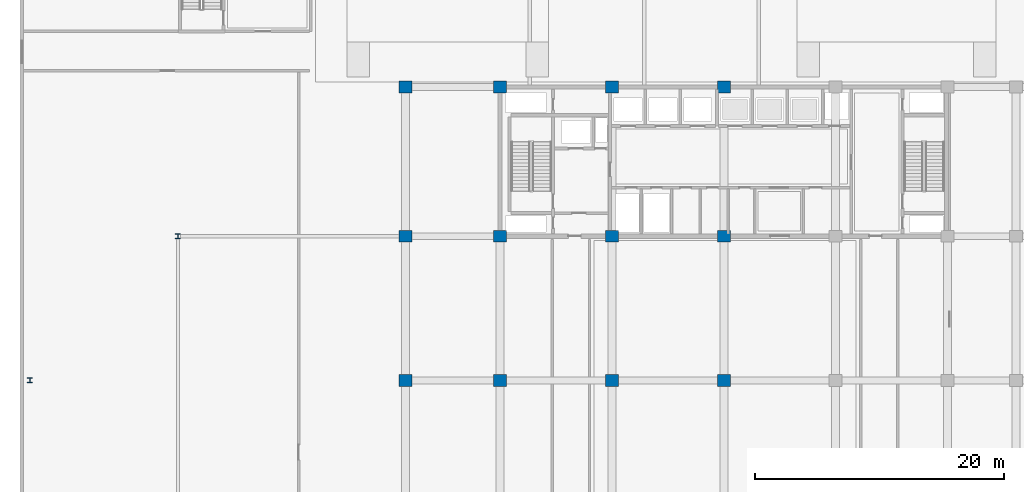
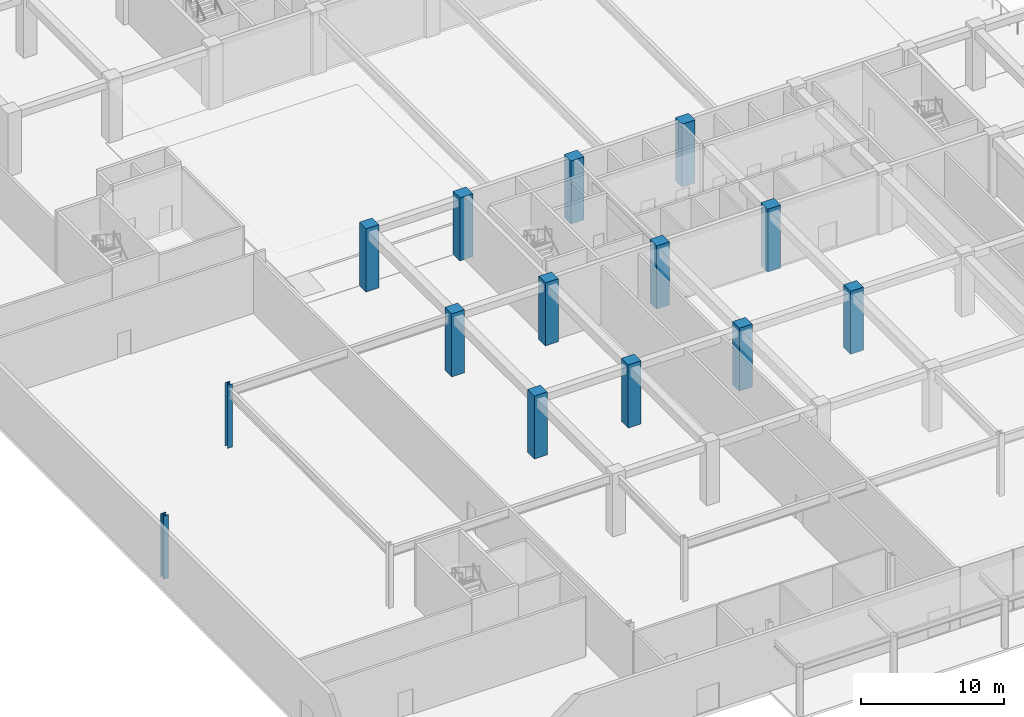
# One storey, part 3 of 46: 14 columns.
"""IFC4 building model written with IfcOpenShell, lengths in metres."""

from ifc_helpers import new_model, si_unit, direction, frame, origin, origin_2d, place, context, subcontext, project, spatial, rectangle, i_section, extrude, material, material_profile, profile_set, type_object, element, save


model = new_model("IFC4")

# Units and contexts
model_context = context("Model", 3, precision=1e-05, world=origin(), true_north=direction((0.0, 1.0)))
body_context = subcontext(model_context, "Body", "Model", "MODEL_VIEW")
ifc_project = project(units=[si_unit("LENGTHUNIT", "METRE"), si_unit("AREAUNIT", "SQUARE_METRE"), si_unit("VOLUMEUNIT", "CUBIC_METRE"), si_unit("PLANEANGLEUNIT", "RADIAN"), si_unit("MASSUNIT", "GRAM", prefix="KILO")], contexts=[model_context])

# Site, building, storey
site_placement = place(None, origin())
site = spatial("IfcSite", under=ifc_project, at=site_placement, CompositionType="ELEMENT")
building_placement = place(site_placement, origin())
building = spatial("IfcBuilding", under=site, at=building_placement, Name="Korimba Cascade Residences", CompositionType="ELEMENT")
storey_placement = place(building_placement, origin())
storey = spatial("IfcBuildingStorey", under=building, at=storey_placement, Name="L00", CompositionType="ELEMENT", Elevation=0.0)

# Columns
ifc_material_1 = material(Name="Concrete C80/95", Category="concrete")
ifc_material_profile_1 = material_profile(ifc_material_1, rectangle(XDim=1.050048828125, YDim=0.949951171875, at=origin_2d()), Name="Concrete C80/95")
ifc_profile_set_1 = profile_set([ifc_material_profile_1], Name="Concrete C80/95")
column_type_1 = type_object("IfcColumnType", Name="COL-RC-1050", PredefinedType="COLUMN", material=ifc_profile_set_1)
for number, where, z_axis, x_axis, name in (
    (1, (74.5, 6.800048828125, 0.0), (0.0, 0.0, 1.0), (1.0, 0.0, 0.0), "L00 Tower 2 Column 1.2"),
    (2, (74.5, 18.39990234375, 0.0), (0.0, 0.0, 1.0), (1.0, 0.0, 0.0), "L00 Tower 2 Column 1.3"),
    (3, (74.5, 30.39990234375, 0.0), (0.0, 0.0, 1.0), (1.0, 0.0, 0.0), "L00 Tower 2 Column 1.4"),
    (4, (82.10009765625, 6.800048828125, 0.0), (0.0, 0.0, 1.0), (1.0, 0.0, 0.0), "L00 Tower 2 Column 2.2"),
    (5, (82.10009765625, 18.39990234375, 0.0), (0.0, 0.0, 1.0), (1.0, 0.0, 0.0), "L00 Tower 2 Column 2.3"),
    (6, (82.10009765625, 30.39990234375, 0.0), (0.0, 0.0, 1.0), (1.0, 0.0, 0.0), "L00 Tower 2 Column 2.4"),
    (7, (91.10009765625, 6.800048828125, 0.0), (0.0, 0.0, 1.0), (1.0, 0.0, 0.0), "L00 Tower 2 Column 3.2"),
    (8, (91.10009765625, 18.39990234375, 0.0), (0.0, 0.0, 1.0), (1.0, 0.0, 0.0), "L00 Tower 2 Column 3.3"),
    (9, (91.10009765625, 30.39990234375, 0.0), (0.0, 0.0, 1.0), (1.0, 0.0, 0.0), "L00 Tower 2 Column 3.4"),
    (10, (100.10009765625, 6.800048828125, 0.0), (0.0, 0.0, 1.0), (1.0, 0.0, 0.0), "L00 Tower 2 Column 4.2"),
    (11, (100.10009765625, 18.39990234375, 0.0), (0.0, 0.0, 1.0), (1.0, 0.0, 0.0), "L00 Tower 2 Column 4.3"),
    (12, (100.10009765625, 30.39990234375, 0.0), (0.0, 0.0, 1.0), (1.0, 0.0, 0.0), "L00 Tower 2 Column 4.4"),
):
    element("IfcColumn", number, at=place(storey_placement, frame(where, z_axis=z_axis, x_axis=x_axis)), inside=storey, type_object=column_type_1, Name=name, PredefinedType="COLUMN", context=body_context, shape_type="SweptSolid", body=[
        extrude(rectangle(XDim=1.050048828125, YDim=0.949951171875, at=origin_2d()), origin(), (0.0, 0.0, 1.0), 5.39990234375),
    ])
ifc_material_2 = material(Name="Steel S355", Category="steel")
ifc_material_profile_2 = material_profile(ifc_material_2, i_section(OverallWidth=0.39892578125, OverallDepth=0.3935546875, WebThickness=0.022705078125, FlangeThickness=0.03662109375, FilletRadius=0.01513671875, at=origin_2d()), Name="Steel S355")
ifc_profile_set_2 = profile_set([ifc_material_profile_2], Name="Steel S355")
column_type_2 = type_object("IfcColumnType", Name="COL-STL-UC287", PredefinedType="COLUMN", material=ifc_profile_set_2)
for number, where, z_axis, x_axis, name in (
    (13, (56.199951171875, 18.39990234375, 0.0), (0.0, 0.0, 1.0), (1.0, 0.0, 0.0), "L00 Podium Column PCW2"),
    (14, (44.300048828125, 6.800048828125, 0.0), (0.0, 0.0, 1.0), (1.0, 0.0, 0.0), "L00 Podium Column PLW2"),
):
    element("IfcColumn", number, at=place(storey_placement, frame(where, z_axis=z_axis, x_axis=x_axis)), inside=storey, type_object=column_type_2, Name=name, PredefinedType="COLUMN", context=body_context, shape_type="SweptSolid", body=[
        extrude(i_section(OverallWidth=0.39892578125, OverallDepth=0.3935546875, WebThickness=0.022705078125, FlangeThickness=0.03662109375, FilletRadius=0.01513671875, at=origin_2d()), origin(), (0.0, 0.0, 1.0), 5.39990234375),
    ])

save(model, "model.ifc")
